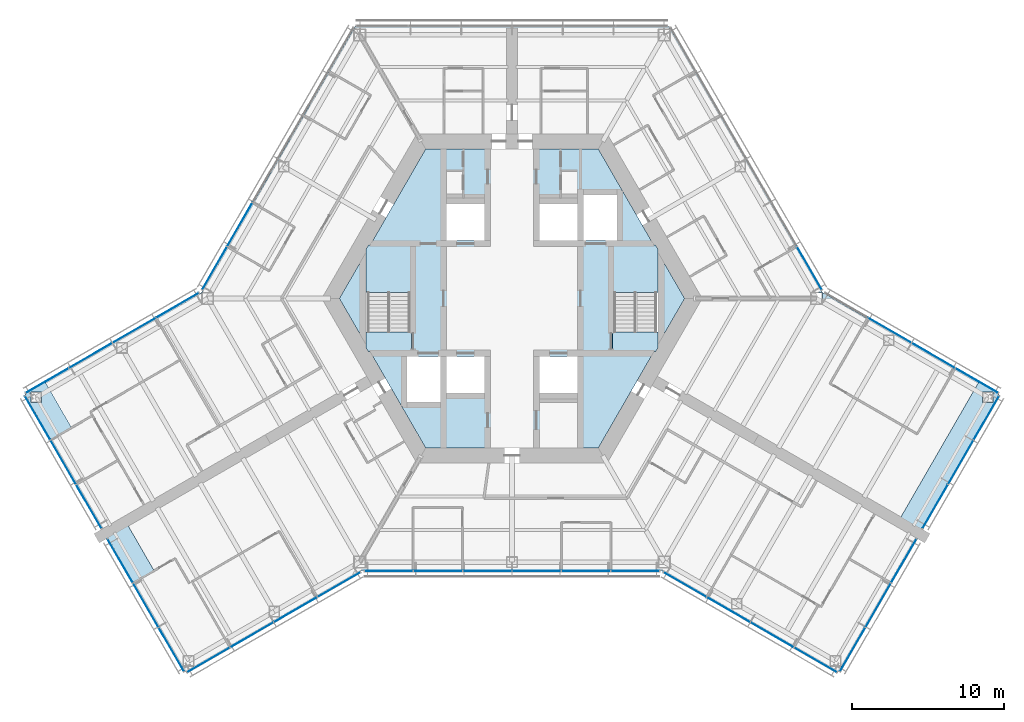
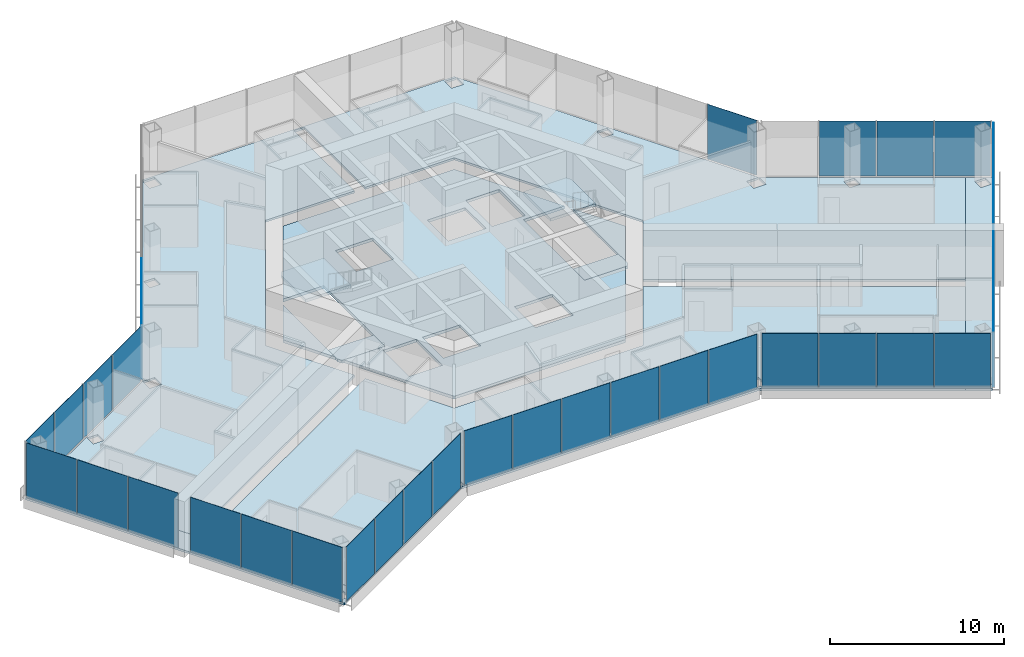
# One storey, part 10 of 19: 36 plates, 11 slabs, 13 elements without a shape of their own.
"""IFC4 building model written with IfcOpenShell, lengths in metres."""

from ifc_helpers import new_model, si_unit, direction, frame, origin, origin_2d, place, context, subcontext, project, spatial, polyline, rectangle, outline, extrude, material, layer, layer_set, type_object, element, aggregate, save


model = new_model("IFC4")

# Units and contexts
model_context = context("Model", 3, precision=1e-05, world=origin(), true_north=direction((0.0, 1.0)))
body_context = subcontext(model_context, "Body", "Model", "MODEL_VIEW")
ifc_project = project(units=[si_unit("LENGTHUNIT", "METRE"), si_unit("AREAUNIT", "SQUARE_METRE"), si_unit("VOLUMEUNIT", "CUBIC_METRE"), si_unit("PLANEANGLEUNIT", "RADIAN"), si_unit("MASSUNIT", "GRAM", prefix="KILO")], contexts=[model_context])

# Site, building, storey
site_placement = place(None, origin())
site = spatial("IfcSite", under=ifc_project, at=site_placement, CompositionType="ELEMENT")
building_placement = place(site_placement, origin())
building = spatial("IfcBuilding", under=site, at=building_placement, Name="Kasaneha Research Tower", CompositionType="ELEMENT")
storey_placement = place(building_placement, frame((0.0, 0.0, 164.300048828125)))
storey = spatial("IfcBuildingStorey", under=building, at=storey_placement, Name="L41", CompositionType="ELEMENT", Elevation=164.300048828125)

# Curtain wall, plates
ifc_material_1 = material(Name="Glass and aluminium", Category="aluminium")
curtain_wall_type = type_object("IfcCurtainWallType", Name="Mid-rise office curtain wall", PredefinedType="USERDEFINED", material=ifc_material_1)
curtain_wall_1_placement = place(storey_placement, origin())
curtain_wall_1 = element("IfcCurtainWall", 1, at=curtain_wall_1_placement, inside=storey, type_object=curtain_wall_type, Name="CW-O2 L41 run 01a", ObjectType="UNITISED CURTAIN WALL", PredefinedType="USERDEFINED")
ifc_material_2 = material(Name="Laminated double glazing", Category="glass")
ifc_layer_1 = layer(ifc_material_2, 0.02587890625)
ifc_layer_set_1 = layer_set([ifc_layer_1], Name="CW-O2 glazed panel")
plate_type = type_object("IfcPlateType", Name="CW-O2 glazed panel", PredefinedType="CURTAIN_PANEL", material=ifc_layer_set_1)
plate_1_placement = place(storey_placement, frame((-8.10107421875, -17.92041015625, 0.06005859375), z_axis=(0.0, 0.0, 1.0), x_axis=(1.0, 0.0, 0.0)))
plate_1 = element("IfcPlate", 2, at=plate_1_placement, type_object=plate_type, Name="CW-O2 panel 1", PredefinedType="CURTAIN_PANEL", context=body_context, shape_type="SweptSolid", body=[
    extrude(rectangle(XDim=3.156494140625, YDim=0.02587890625, at=origin_2d()), origin(), (0.0, 0.0, 1.0), 3.840087890625),
])
plate_2_placement = place(storey_placement, frame((-4.86962890625, -17.92041015625, 0.06005859375), z_axis=(0.0, 0.0, 1.0), x_axis=(1.0, 0.0, 0.0)))
plate_2 = element("IfcPlate", 3, at=plate_2_placement, type_object=plate_type, Name="CW-O2 panel 2", PredefinedType="CURTAIN_PANEL", context=body_context, shape_type="SweptSolid", body=[
    extrude(rectangle(XDim=3.1865234375, YDim=0.02587890625, at=origin_2d()), origin(), (0.0, 0.0, 1.0), 3.840087890625),
])
plate_3_placement = place(storey_placement, frame((-1.623291015625, -17.92041015625, 0.06005859375), z_axis=(0.0, 0.0, 1.0), x_axis=(1.0, 0.0, 0.0)))
plate_3 = element("IfcPlate", 4, at=plate_3_placement, type_object=plate_type, Name="CW-O2 panel 3", PredefinedType="CURTAIN_PANEL", context=body_context, shape_type="SweptSolid", body=[
    extrude(rectangle(XDim=3.1865234375, YDim=0.02587890625, at=origin_2d()), origin(), (0.0, 0.0, 1.0), 3.840087890625),
])
plate_4_placement = place(storey_placement, frame((1.623291015625, -17.92041015625, 0.06005859375), z_axis=(0.0, 0.0, 1.0), x_axis=(1.0, 0.0, 0.0)))
plate_4 = element("IfcPlate", 5, at=plate_4_placement, type_object=plate_type, Name="CW-O2 panel 4", PredefinedType="CURTAIN_PANEL", context=body_context, shape_type="SweptSolid", body=[
    extrude(rectangle(XDim=3.1865234375, YDim=0.02587890625, at=origin_2d()), origin(), (0.0, 0.0, 1.0), 3.840087890625),
])
plate_5_placement = place(storey_placement, frame((4.86962890625, -17.92041015625, 0.06005859375), z_axis=(0.0, 0.0, 1.0), x_axis=(1.0, 0.0, 0.0)))
plate_5 = element("IfcPlate", 6, at=plate_5_placement, type_object=plate_type, Name="CW-O2 panel 5", PredefinedType="CURTAIN_PANEL", context=body_context, shape_type="SweptSolid", body=[
    extrude(rectangle(XDim=3.1865234375, YDim=0.02587890625, at=origin_2d()), origin(), (0.0, 0.0, 1.0), 3.840087890625),
])
plate_6_placement = place(storey_placement, frame((8.10107421875, -17.92041015625, 0.06005859375), z_axis=(0.0, 0.0, 1.0), x_axis=(1.0, 0.0, 0.0)))
plate_6 = element("IfcPlate", 7, at=plate_6_placement, type_object=plate_type, Name="CW-O2 panel 6", PredefinedType="CURTAIN_PANEL", context=body_context, shape_type="SweptSolid", body=[
    extrude(rectangle(XDim=3.156494140625, YDim=0.02587890625, at=origin_2d()), origin(), (0.0, 0.0, 1.0), 3.840087890625),
])
aggregate(curtain_wall_1, [plate_1, plate_2, plate_3, plate_4, plate_5, plate_6])

curtain_wall_2_placement = place(storey_placement, origin())
curtain_wall_2 = element("IfcCurtainWall", 8, at=curtain_wall_2_placement, inside=storey, type_object=curtain_wall_type, Name="CW-O2 L41 run 02a", ObjectType="UNITISED CURTAIN WALL", PredefinedType="USERDEFINED")
plate_7_placement = place(storey_placement, frame((11.3720703125, -18.805419921875, 0.06005859375), z_axis=(0.0, 0.0, 1.0), x_axis=(0.866025411464, -0.499999986699, 0.0)))
plate_7 = element("IfcPlate", 9, at=plate_7_placement, type_object=plate_type, Name="CW-O2 panel 1", PredefinedType="CURTAIN_PANEL", context=body_context, shape_type="SweptSolid", body=[
    extrude(rectangle(XDim=3.2197265625, YDim=0.02587890625, at=origin_2d()), origin(), (0.0, 0.0, 1.0), 3.840087890625),
])
plate_8_placement = place(storey_placement, frame((14.225341796875, -20.452880859375, 0.06005859375), z_axis=(0.0, 0.0, 1.0), x_axis=(0.866025411464, -0.499999986699, 0.0)))
plate_8 = element("IfcPlate", 10, at=plate_8_placement, type_object=plate_type, Name="CW-O2 panel 2", PredefinedType="CURTAIN_PANEL", context=body_context, shape_type="SweptSolid", body=[
    extrude(rectangle(XDim=3.249755859375, YDim=0.02587890625, at=origin_2d()), origin(), (0.0, 0.0, 1.0), 3.840087890625),
])
plate_9_placement = place(storey_placement, frame((17.091796875, -22.107666015625, 0.06005859375), z_axis=(0.0, 0.0, 1.0), x_axis=(0.866025411464, -0.499999986699, 0.0)))
plate_9 = element("IfcPlate", 11, at=plate_9_placement, type_object=plate_type, Name="CW-O2 panel 3", PredefinedType="CURTAIN_PANEL", context=body_context, shape_type="SweptSolid", body=[
    extrude(rectangle(XDim=3.249755859375, YDim=0.02587890625, at=origin_2d()), origin(), (0.0, 0.0, 1.0), 3.840087890625),
])
plate_10_placement = place(storey_placement, frame((19.945068359375, -23.755126953125, 0.06005859375), z_axis=(0.0, 0.0, 1.0), x_axis=(0.866025411464, -0.499999986699, 0.0)))
plate_10 = element("IfcPlate", 12, at=plate_10_placement, type_object=plate_type, Name="CW-O2 panel 4", PredefinedType="CURTAIN_PANEL", context=body_context, shape_type="SweptSolid", body=[
    extrude(rectangle(XDim=3.2197265625, YDim=0.02587890625, at=origin_2d()), origin(), (0.0, 0.0, 1.0), 3.840087890625),
])
aggregate(curtain_wall_2, [plate_7, plate_8, plate_9, plate_10])

curtain_wall_3_placement = place(storey_placement, origin())
curtain_wall_3 = element("IfcCurtainWall", 13, at=curtain_wall_3_placement, inside=storey, type_object=curtain_wall_type, Name="CW-O2 L41 run 03a", ObjectType="UNITISED CURTAIN WALL", PredefinedType="USERDEFINED")
plate_11_placement = place(storey_placement, frame((22.38134765625, -23.075439453125, 0.06005859375), z_axis=(0.0, 0.0, 1.0), x_axis=(0.500000011442, 0.866025397178, 0.0)))
plate_11 = element("IfcPlate", 14, at=plate_11_placement, type_object=plate_type, Name="CW-O2 panel 1", PredefinedType="CURTAIN_PANEL", context=body_context, shape_type="SweptSolid", body=[
    extrude(rectangle(XDim=3.293212890625, YDim=0.02587890625, at=origin_2d()), origin(), (0.0, 0.0, 1.0), 3.840087890625),
])
plate_12_placement = place(storey_placement, frame((24.0654296875, -20.158447265625, 0.06005859375), z_axis=(0.0, 0.0, 1.0), x_axis=(0.500000011442, 0.866025397178, 0.0)))
plate_12 = element("IfcPlate", 15, at=plate_12_placement, type_object=plate_type, Name="CW-O2 panel 2", PredefinedType="CURTAIN_PANEL", context=body_context, shape_type="SweptSolid", body=[
    extrude(rectangle(XDim=3.3232421875, YDim=0.02587890625, at=origin_2d()), origin(), (0.0, 0.0, 1.0), 3.840087890625),
])
plate_13_placement = place(storey_placement, frame((25.74951171875, -17.241455078125, 0.06005859375), z_axis=(0.0, 0.0, 1.0), x_axis=(0.500000011442, 0.866025397178, 0.0)))
plate_13 = element("IfcPlate", 16, at=plate_13_placement, type_object=plate_type, Name="CW-O2 panel 3", PredefinedType="CURTAIN_PANEL", context=body_context, shape_type="SweptSolid", body=[
    extrude(rectangle(XDim=3.293212890625, YDim=0.02587890625, at=origin_2d()), origin(), (0.0, 0.0, 1.0), 3.840087890625),
])
aggregate(curtain_wall_3, [plate_11, plate_12, plate_13])

curtain_wall_4_placement = place(storey_placement, origin())
curtain_wall_4 = element("IfcCurtainWall", 17, at=curtain_wall_4_placement, inside=storey, type_object=curtain_wall_type, Name="CW-O2 L41 run 04a", ObjectType="UNITISED CURTAIN WALL", PredefinedType="USERDEFINED")
plate_14_placement = place(storey_placement, frame((27.806396484375, -13.67919921875, 0.06005859375), z_axis=(0.0, 0.0, 1.0), x_axis=(0.500000011442, 0.866025397178, 0.0)))
plate_14 = element("IfcPlate", 18, at=plate_14_placement, type_object=plate_type, Name="CW-O2 panel 1", PredefinedType="CURTAIN_PANEL", context=body_context, shape_type="SweptSolid", body=[
    extrude(rectangle(XDim=3.293212890625, YDim=0.02587890625, at=origin_2d()), origin(), (0.0, 0.0, 1.0), 3.840087890625),
])
plate_15_placement = place(storey_placement, frame((29.490478515625, -10.761962890625, 0.06005859375), z_axis=(0.0, 0.0, 1.0), x_axis=(0.500000011442, 0.866025397178, 0.0)))
plate_15 = element("IfcPlate", 19, at=plate_15_placement, type_object=plate_type, Name="CW-O2 panel 2", PredefinedType="CURTAIN_PANEL", context=body_context, shape_type="SweptSolid", body=[
    extrude(rectangle(XDim=3.3232421875, YDim=0.02587890625, at=origin_2d()), origin(), (0.0, 0.0, 1.0), 3.840087890625),
])
plate_16_placement = place(storey_placement, frame((31.174560546875, -7.844970703125, 0.06005859375), z_axis=(0.0, 0.0, 1.0), x_axis=(0.500000011442, 0.866025397178, 0.0)))
plate_16 = element("IfcPlate", 20, at=plate_16_placement, type_object=plate_type, Name="CW-O2 panel 3", PredefinedType="CURTAIN_PANEL", context=body_context, shape_type="SweptSolid", body=[
    extrude(rectangle(XDim=3.293212890625, YDim=0.02587890625, at=origin_2d()), origin(), (0.0, 0.0, 1.0), 3.840087890625),
])
aggregate(curtain_wall_4, [plate_14, plate_15, plate_16])

curtain_wall_5_placement = place(storey_placement, origin())
curtain_wall_5 = element("IfcCurtainWall", 21, at=curtain_wall_5_placement, inside=storey, type_object=curtain_wall_type, Name="CW-O2 L41 run 05a", ObjectType="UNITISED CURTAIN WALL", PredefinedType="USERDEFINED")
plate_17_placement = place(storey_placement, frame((30.545166015625, -5.3955078125, 0.06005859375), z_axis=(0.0, 0.0, 1.0), x_axis=(-0.866025411464, 0.499999986699, 0.0)))
plate_17 = element("IfcPlate", 22, at=plate_17_placement, type_object=plate_type, Name="CW-O2 panel 1", PredefinedType="CURTAIN_PANEL", context=body_context, shape_type="SweptSolid", body=[
    extrude(rectangle(XDim=3.2197265625, YDim=0.02587890625, at=origin_2d()), origin(), (0.0, 0.0, 1.0), 3.840087890625),
])
plate_18_placement = place(storey_placement, frame((27.69189453125, -3.748046875, 0.06005859375), z_axis=(0.0, 0.0, 1.0), x_axis=(-0.866025411464, 0.499999986699, 0.0)))
plate_18 = element("IfcPlate", 23, at=plate_18_placement, type_object=plate_type, Name="CW-O2 panel 2", PredefinedType="CURTAIN_PANEL", context=body_context, shape_type="SweptSolid", body=[
    extrude(rectangle(XDim=3.249755859375, YDim=0.02587890625, at=origin_2d()), origin(), (0.0, 0.0, 1.0), 3.840087890625),
])
plate_19_placement = place(storey_placement, frame((24.825439453125, -2.093017578125, 0.06005859375), z_axis=(0.0, 0.0, 1.0), x_axis=(-0.866025411464, 0.499999986699, 0.0)))
plate_19 = element("IfcPlate", 24, at=plate_19_placement, type_object=plate_type, Name="CW-O2 panel 3", PredefinedType="CURTAIN_PANEL", context=body_context, shape_type="SweptSolid", body=[
    extrude(rectangle(XDim=3.249755859375, YDim=0.02587890625, at=origin_2d()), origin(), (0.0, 0.0, 1.0), 3.840087890625),
])
aggregate(curtain_wall_5, [plate_17, plate_18, plate_19])

# Curtain wall, plate
curtain_wall_6_placement = place(storey_placement, origin())
curtain_wall_6 = element("IfcCurtainWall", 25, at=curtain_wall_6_placement, inside=storey, type_object=curtain_wall_type, Name="CW-O2 L41 run 06a", ObjectType="UNITISED CURTAIN WALL", PredefinedType="USERDEFINED")
plate_20_placement = place(storey_placement, frame((19.549072265625, 1.981201171875, 0.06005859375), z_axis=(0.0, 0.0, 1.0), x_axis=(-0.499999979232, 0.866025415775, 0.0)))
plate_20 = element("IfcPlate", 26, at=plate_20_placement, type_object=plate_type, Name="CW-O2 panel 1", PredefinedType="CURTAIN_PANEL", context=body_context, shape_type="SweptSolid", body=[
    extrude(rectangle(XDim=3.240966796875, YDim=0.02587890625, at=origin_2d()), origin(), (0.0, 0.0, 1.0), 3.840087890625),
])
aggregate(curtain_wall_6, [plate_20])

# Curtain wall, plates
curtain_wall_7_placement = place(storey_placement, origin())
curtain_wall_7 = element("IfcCurtainWall", 27, at=curtain_wall_7_placement, inside=storey, type_object=curtain_wall_type, Name="CW-O2 L41 run 08a", ObjectType="UNITISED CURTAIN WALL", PredefinedType="USERDEFINED")
plate_21_placement = place(storey_placement, frame((-17.89111328125, 4.852783203125, 0.06005859375), z_axis=(0.0, 0.0, 1.0), x_axis=(-0.499999979232, -0.866025415775, 0.0)))
plate_21 = element("IfcPlate", 28, at=plate_21_placement, type_object=plate_type, Name="CW-O2 panel 5", PredefinedType="CURTAIN_PANEL", context=body_context, shape_type="SweptSolid", body=[
    extrude(rectangle(XDim=3.27099609375, YDim=0.02587890625, at=origin_2d()), origin(), (0.0, 0.0, 1.0), 3.840087890625),
])
plate_22_placement = place(storey_placement, frame((-19.549072265625, 1.981201171875, 0.06005859375), z_axis=(0.0, 0.0, 1.0), x_axis=(-0.499999979232, -0.866025415775, 0.0)))
plate_22 = element("IfcPlate", 29, at=plate_22_placement, type_object=plate_type, Name="CW-O2 panel 6", PredefinedType="CURTAIN_PANEL", context=body_context, shape_type="SweptSolid", body=[
    extrude(rectangle(XDim=3.240966796875, YDim=0.02587890625, at=origin_2d()), origin(), (0.0, 0.0, 1.0), 3.840087890625),
])
aggregate(curtain_wall_7, [plate_21, plate_22])

curtain_wall_8_placement = place(storey_placement, origin())
curtain_wall_8 = element("IfcCurtainWall", 30, at=curtain_wall_8_placement, inside=storey, type_object=curtain_wall_type, Name="CW-O2 L41 run 09a", ObjectType="UNITISED CURTAIN WALL", PredefinedType="USERDEFINED")
plate_23_placement = place(storey_placement, frame((-21.971923828125, -0.44580078125, 0.06005859375), z_axis=(0.0, 0.0, 1.0), x_axis=(-0.866025411464, -0.499999986699, 0.0)))
plate_23 = element("IfcPlate", 31, at=plate_23_placement, type_object=plate_type, Name="CW-O2 panel 1", PredefinedType="CURTAIN_PANEL", context=body_context, shape_type="SweptSolid", body=[
    extrude(rectangle(XDim=3.2197265625, YDim=0.02587890625, at=origin_2d()), origin(), (0.0, 0.0, 1.0), 3.840087890625),
])
plate_24_placement = place(storey_placement, frame((-24.825439453125, -2.093017578125, 0.06005859375), z_axis=(0.0, 0.0, 1.0), x_axis=(-0.866025411464, -0.499999986699, 0.0)))
plate_24 = element("IfcPlate", 32, at=plate_24_placement, type_object=plate_type, Name="CW-O2 panel 2", PredefinedType="CURTAIN_PANEL", context=body_context, shape_type="SweptSolid", body=[
    extrude(rectangle(XDim=3.249755859375, YDim=0.02587890625, at=origin_2d()), origin(), (0.0, 0.0, 1.0), 3.840087890625),
])
plate_25_placement = place(storey_placement, frame((-27.69189453125, -3.748046875, 0.06005859375), z_axis=(0.0, 0.0, 1.0), x_axis=(-0.866025411464, -0.499999986699, 0.0)))
plate_25 = element("IfcPlate", 33, at=plate_25_placement, type_object=plate_type, Name="CW-O2 panel 3", PredefinedType="CURTAIN_PANEL", context=body_context, shape_type="SweptSolid", body=[
    extrude(rectangle(XDim=3.249755859375, YDim=0.02587890625, at=origin_2d()), origin(), (0.0, 0.0, 1.0), 3.840087890625),
])
plate_26_placement = place(storey_placement, frame((-30.545166015625, -5.3955078125, 0.06005859375), z_axis=(0.0, 0.0, 1.0), x_axis=(-0.866025411464, -0.499999986699, 0.0)))
plate_26 = element("IfcPlate", 34, at=plate_26_placement, type_object=plate_type, Name="CW-O2 panel 4", PredefinedType="CURTAIN_PANEL", context=body_context, shape_type="SweptSolid", body=[
    extrude(rectangle(XDim=3.2197265625, YDim=0.02587890625, at=origin_2d()), origin(), (0.0, 0.0, 1.0), 3.840087890625),
])
aggregate(curtain_wall_8, [plate_23, plate_24, plate_25, plate_26])

curtain_wall_9_placement = place(storey_placement, origin())
curtain_wall_9 = element("IfcCurtainWall", 35, at=curtain_wall_9_placement, inside=storey, type_object=curtain_wall_type, Name="CW-O2 L41 run 10a", ObjectType="UNITISED CURTAIN WALL", PredefinedType="USERDEFINED")
plate_27_placement = place(storey_placement, frame((-31.174560546875, -7.844970703125, 0.06005859375), z_axis=(0.0, 0.0, 1.0), x_axis=(0.500000011442, -0.866025397178, 0.0)))
plate_27 = element("IfcPlate", 36, at=plate_27_placement, type_object=plate_type, Name="CW-O2 panel 1", PredefinedType="CURTAIN_PANEL", context=body_context, shape_type="SweptSolid", body=[
    extrude(rectangle(XDim=3.293212890625, YDim=0.02587890625, at=origin_2d()), origin(), (0.0, 0.0, 1.0), 3.840087890625),
])
plate_28_placement = place(storey_placement, frame((-29.490478515625, -10.761962890625, 0.06005859375), z_axis=(0.0, 0.0, 1.0), x_axis=(0.500000011442, -0.866025397178, 0.0)))
plate_28 = element("IfcPlate", 37, at=plate_28_placement, type_object=plate_type, Name="CW-O2 panel 2", PredefinedType="CURTAIN_PANEL", context=body_context, shape_type="SweptSolid", body=[
    extrude(rectangle(XDim=3.3232421875, YDim=0.02587890625, at=origin_2d()), origin(), (0.0, 0.0, 1.0), 3.840087890625),
])
plate_29_placement = place(storey_placement, frame((-27.806396484375, -13.67919921875, 0.06005859375), z_axis=(0.0, 0.0, 1.0), x_axis=(0.500000011442, -0.866025397178, 0.0)))
plate_29 = element("IfcPlate", 38, at=plate_29_placement, type_object=plate_type, Name="CW-O2 panel 3", PredefinedType="CURTAIN_PANEL", context=body_context, shape_type="SweptSolid", body=[
    extrude(rectangle(XDim=3.293212890625, YDim=0.02587890625, at=origin_2d()), origin(), (0.0, 0.0, 1.0), 3.840087890625),
])
aggregate(curtain_wall_9, [plate_27, plate_28, plate_29])

curtain_wall_10_placement = place(storey_placement, origin())
curtain_wall_10 = element("IfcCurtainWall", 39, at=curtain_wall_10_placement, inside=storey, type_object=curtain_wall_type, Name="CW-O2 L41 run 11a", ObjectType="UNITISED CURTAIN WALL", PredefinedType="USERDEFINED")
plate_30_placement = place(storey_placement, frame((-25.74951171875, -17.241455078125, 0.06005859375), z_axis=(0.0, 0.0, 1.0), x_axis=(0.500000011442, -0.866025397178, 0.0)))
plate_30 = element("IfcPlate", 40, at=plate_30_placement, type_object=plate_type, Name="CW-O2 panel 1", PredefinedType="CURTAIN_PANEL", context=body_context, shape_type="SweptSolid", body=[
    extrude(rectangle(XDim=3.293212890625, YDim=0.02587890625, at=origin_2d()), origin(), (0.0, 0.0, 1.0), 3.840087890625),
])
plate_31_placement = place(storey_placement, frame((-24.0654296875, -20.158447265625, 0.06005859375), z_axis=(0.0, 0.0, 1.0), x_axis=(0.500000011442, -0.866025397178, 0.0)))
plate_31 = element("IfcPlate", 41, at=plate_31_placement, type_object=plate_type, Name="CW-O2 panel 2", PredefinedType="CURTAIN_PANEL", context=body_context, shape_type="SweptSolid", body=[
    extrude(rectangle(XDim=3.3232421875, YDim=0.02587890625, at=origin_2d()), origin(), (0.0, 0.0, 1.0), 3.840087890625),
])
plate_32_placement = place(storey_placement, frame((-22.38134765625, -23.075439453125, 0.06005859375), z_axis=(0.0, 0.0, 1.0), x_axis=(0.500000011442, -0.866025397178, 0.0)))
plate_32 = element("IfcPlate", 42, at=plate_32_placement, type_object=plate_type, Name="CW-O2 panel 3", PredefinedType="CURTAIN_PANEL", context=body_context, shape_type="SweptSolid", body=[
    extrude(rectangle(XDim=3.293212890625, YDim=0.02587890625, at=origin_2d()), origin(), (0.0, 0.0, 1.0), 3.840087890625),
])
aggregate(curtain_wall_10, [plate_30, plate_31, plate_32])

curtain_wall_11_placement = place(storey_placement, origin())
curtain_wall_11 = element("IfcCurtainWall", 43, at=curtain_wall_11_placement, inside=storey, type_object=curtain_wall_type, Name="CW-O2 L41 run 12a", ObjectType="UNITISED CURTAIN WALL", PredefinedType="USERDEFINED")
plate_33_placement = place(storey_placement, frame((-19.945068359375, -23.755126953125, 0.06005859375), z_axis=(0.0, 0.0, 1.0), x_axis=(0.866025411464, 0.499999986699, 0.0)))
plate_33 = element("IfcPlate", 44, at=plate_33_placement, type_object=plate_type, Name="CW-O2 panel 1", PredefinedType="CURTAIN_PANEL", context=body_context, shape_type="SweptSolid", body=[
    extrude(rectangle(XDim=3.2197265625, YDim=0.02587890625, at=origin_2d()), origin(), (0.0, 0.0, 1.0), 3.840087890625),
])
plate_34_placement = place(storey_placement, frame((-17.091796875, -22.107666015625, 0.06005859375), z_axis=(0.0, 0.0, 1.0), x_axis=(0.866025411464, 0.499999986699, 0.0)))
plate_34 = element("IfcPlate", 45, at=plate_34_placement, type_object=plate_type, Name="CW-O2 panel 2", PredefinedType="CURTAIN_PANEL", context=body_context, shape_type="SweptSolid", body=[
    extrude(rectangle(XDim=3.249755859375, YDim=0.02587890625, at=origin_2d()), origin(), (0.0, 0.0, 1.0), 3.840087890625),
])
plate_35_placement = place(storey_placement, frame((-14.225341796875, -20.452880859375, 0.06005859375), z_axis=(0.0, 0.0, 1.0), x_axis=(0.866025411464, 0.499999986699, 0.0)))
plate_35 = element("IfcPlate", 46, at=plate_35_placement, type_object=plate_type, Name="CW-O2 panel 3", PredefinedType="CURTAIN_PANEL", context=body_context, shape_type="SweptSolid", body=[
    extrude(rectangle(XDim=3.249755859375, YDim=0.02587890625, at=origin_2d()), origin(), (0.0, 0.0, 1.0), 3.840087890625),
])
plate_36_placement = place(storey_placement, frame((-11.3720703125, -18.805419921875, 0.06005859375), z_axis=(0.0, 0.0, 1.0), x_axis=(0.866025411464, 0.499999986699, 0.0)))
plate_36 = element("IfcPlate", 47, at=plate_36_placement, type_object=plate_type, Name="CW-O2 panel 4", PredefinedType="CURTAIN_PANEL", context=body_context, shape_type="SweptSolid", body=[
    extrude(rectangle(XDim=3.2197265625, YDim=0.02587890625, at=origin_2d()), origin(), (0.0, 0.0, 1.0), 3.840087890625),
])
aggregate(curtain_wall_11, [plate_33, plate_34, plate_35, plate_36])

# Slabs
ifc_material_3 = material(Name="Concrete Fc24", Category="concrete")
ifc_layer_2 = layer(ifc_material_3, 0.199951171875)
ifc_layer_set_2 = layer_set([ifc_layer_2], Name="Core floor slab 200")
slab_type_1 = type_object("IfcSlabType", Name="Core floor slab 200", PredefinedType="FLOOR", material=ifc_layer_set_2)
slab_1_placement = place(storey_placement, frame((0.0, 0.0, -0.199951171875)))
element("IfcSlab", 48, at=slab_1_placement, inside=storey, type_object=slab_type_1, Name="Core slab L41", PredefinedType="FLOOR", context=body_context, shape_type="SweptSolid", body=[
    extrude(outline(polyline([(-11.344970703125, 0.0), (-9.60009765625, 3.022216796875), (-9.60009765625, -3.022216796875), (-11.344970703125, 0.0)])), origin(), (0.0, 0.0, 1.0), 0.199951171875),
])
slab_2_placement = place(storey_placement, frame((0.0, 0.0, -0.199951171875)))
element("IfcSlab", 49, at=slab_2_placement, inside=storey, type_object=slab_type_1, Name="Core slab L41", PredefinedType="FLOOR", context=body_context, shape_type="SweptSolid", body=[
    extrude(outline(polyline([(-5.67236328125, 9.824951171875), (5.67236328125, 9.824951171875), (9.32421875, 3.5), (6.60009765625, 3.5), (6.60009765625, -3.5), (9.32421875, -3.5), (5.67236328125, -9.824951171875), (-5.67236328125, -9.824951171875), (-9.32421875, -3.5), (-6.60009765625, -3.5), (-6.60009765625, 3.5), (-9.32421875, 3.5), (-5.67236328125, 9.824951171875)]), holes=[polyline([(-6.89990234375, -3.800048828125), (-6.89990234375, -6.800048828125), (-4.699951171875, -6.800048828125), (-4.699951171875, -3.800048828125), (-6.89990234375, -3.800048828125)]), polyline([(-4.300048828125, -3.800048828125), (-4.300048828125, -6.199951171875), (-1.800048828125, -6.199951171875), (-1.800048828125, -3.800048828125), (-4.300048828125, -3.800048828125)]), polyline([(1.800048828125, -3.800048828125), (1.800048828125, -6.199951171875), (4.300048828125, -6.199951171875), (4.300048828125, -3.800048828125), (1.800048828125, -3.800048828125)]), polyline([(-4.300048828125, 6.199951171875), (-4.300048828125, 3.800048828125), (-1.800048828125, 3.800048828125), (-1.800048828125, 6.199951171875), (-4.300048828125, 6.199951171875)]), polyline([(1.800048828125, 6.199951171875), (1.800048828125, 3.800048828125), (4.300048828125, 3.800048828125), (4.300048828125, 6.199951171875), (1.800048828125, 6.199951171875)]), polyline([(4.699951171875, 6.800048828125), (4.699951171875, 3.800048828125), (6.89990234375, 3.800048828125), (6.89990234375, 6.800048828125), (4.699951171875, 6.800048828125)])]), origin(), (0.0, 0.0, 1.0), 0.199951171875),
])
slab_3_placement = place(storey_placement, frame((0.0, 0.0, -0.199951171875)))
element("IfcSlab", 50, at=slab_3_placement, inside=storey, type_object=slab_type_1, Name="Core slab L41", PredefinedType="FLOOR", context=body_context, shape_type="SweptSolid", body=[
    extrude(outline(polyline([(11.344970703125, 0.0), (9.60009765625, -3.022216796875), (9.60009765625, 3.022216796875), (11.344970703125, 0.0)])), origin(), (0.0, 0.0, 1.0), 0.199951171875),
])
ifc_material_4 = material(Name="Concrete Fc24", Category="concrete")
ifc_layer_3 = layer(ifc_material_4, 0.14990234375)
ifc_layer_set_3 = layer_set([ifc_layer_3], Name="Floor slab 150")
slab_type_2 = type_object("IfcSlabType", Name="Floor slab 150", PredefinedType="FLOOR", material=ifc_layer_set_3)
slab_4_placement = place(storey_placement, frame((0.0, 0.0, -0.150146484375)))
element("IfcSlab", 51, at=slab_4_placement, inside=storey, type_object=slab_type_2, Name="Floor slab L41 1", PredefinedType="FLOOR", context=body_context, shape_type="SweptSolid", body=[
    extrude(outline(polyline([(-32.009521484375, -6.298583984375), (-30.65869140625, -5.518798828125), (-25.55859375, -14.35205078125), (-25.5673828125, -14.357177734375), (-25.21728515625, -14.96337890625), (-25.208740234375, -14.958251953125), (-20.108642578125, -23.791748046875), (-21.459716796875, -24.57177734375), (-32.009521484375, -6.298583984375)]), holes=[polyline([(-20.908447265625, -24.17041015625), (-20.908447265625, -23.470458984375), (-21.6083984375, -23.470458984375), (-21.6083984375, -24.17041015625), (-20.908447265625, -24.17041015625)]), polyline([(-30.908447265625, -6.85009765625), (-30.908447265625, -6.14990234375), (-31.6083984375, -6.14990234375), (-31.6083984375, -6.85009765625), (-30.908447265625, -6.85009765625)])]), origin(), (0.0, 0.0, 1.0), 0.150146484375),
])
slab_5_placement = place(storey_placement, frame((0.0, 0.0, -0.150146484375)))
element("IfcSlab", 52, at=slab_5_placement, inside=storey, type_object=slab_type_2, Name="Floor slab L41 2", PredefinedType="FLOOR", context=body_context, shape_type="SweptSolid", body=[
    extrude(outline(polyline([(9.8525390625, -17.87060546875), (-9.8525390625, -17.87060546875), (-20.108642578125, -23.791748046875), (-25.208740234375, -14.958251953125), (-9.19970703125, -5.715576171875), (-6.249755859375, -10.824951171875), (6.249755859375, -10.824951171875), (9.19970703125, -5.715576171875), (25.208740234375, -14.958251953125), (20.108642578125, -23.791748046875), (9.8525390625, -17.87060546875)]), holes=[polyline([(-15.279052734375, -20.92041015625), (-15.279052734375, -20.220458984375), (-15.979248046875, -20.220458984375), (-15.979248046875, -20.92041015625), (-15.279052734375, -20.92041015625)]), polyline([(0.35009765625, -17.67041015625), (0.35009765625, -16.970458984375), (-0.35009765625, -16.970458984375), (-0.35009765625, -17.67041015625), (0.35009765625, -17.67041015625)]), polyline([(-10.39990234375, -17.720458984375), (-9.60009765625, -17.720458984375), (-9.60009765625, -16.92041015625), (-10.39990234375, -16.92041015625), (-10.39990234375, -17.720458984375)]), polyline([(15.113037109375, -20.42041015625), (15.113037109375, -19.720458984375), (14.4130859375, -19.720458984375), (14.4130859375, -20.42041015625), (15.113037109375, -20.42041015625)]), polyline([(9.60009765625, -17.720458984375), (10.39990234375, -17.720458984375), (10.39990234375, -16.92041015625), (9.60009765625, -16.92041015625), (9.60009765625, -17.720458984375)])]), origin(), (0.0, 0.0, 1.0), 0.150146484375),
])
slab_6_placement = place(storey_placement, frame((0.0, 0.0, -0.150146484375)))
element("IfcSlab", 53, at=slab_6_placement, inside=storey, type_object=slab_type_2, Name="Floor slab L41 3", PredefinedType="FLOOR", context=body_context, shape_type="SweptSolid", body=[
    extrude(outline(polyline([(-20.400146484375, -0.400146484375), (-19.599853515625, -0.400146484375), (-19.599853515625, 0.400146484375), (-20.385986328125, 0.400146484375), (-20.3974609375, 0.41162109375), (-10.40771484375, 17.714111328125), (-10.400146484375, 17.70654296875), (-10.400146484375, 16.92041015625), (-9.599853515625, 16.92041015625), (-9.599853515625, 17.720703125), (-10.385986328125, 17.720703125), (-10.3974609375, 17.732177734375), (-10.317626953125, 17.87060546875), (10.317626953125, 17.87060546875), (10.3974609375, 17.732177734375), (10.385986328125, 17.720703125), (9.599853515625, 17.720703125), (9.599853515625, 16.92041015625), (10.400146484375, 16.92041015625), (10.400146484375, 17.70654296875), (10.40771484375, 17.714111328125), (20.3974609375, 0.41162109375), (20.385986328125, 0.400146484375), (19.599853515625, 0.400146484375), (19.599853515625, -0.400146484375), (20.400146484375, -0.400146484375), (20.400146484375, 0.385986328125), (20.41162109375, 0.3974609375), (30.65869140625, -5.518798828125), (25.55859375, -14.35205078125), (9.5498046875, -5.109375), (12.49951171875, 0.0), (6.249755859375, 10.824951171875), (0.35009765625, 10.824951171875), (0.35009765625, 17.7705078125), (-0.35009765625, 17.7705078125), (-0.35009765625, 10.824951171875), (-6.249755859375, 10.824951171875), (-12.49951171875, 0.0), (-9.5498046875, -5.109375), (-25.55859375, -14.35205078125), (-30.65869140625, -5.518798828125), (-20.41162109375, 0.3974609375), (-20.400146484375, 0.385986328125), (-20.400146484375, -0.400146484375)]), holes=[polyline([(-25.279052734375, -3.60009765625), (-25.279052734375, -2.89990234375), (-25.979248046875, -2.89990234375), (-25.979248046875, -3.60009765625), (-25.279052734375, -3.60009765625)]), polyline([(-15.35009765625, 8.310302734375), (-14.64990234375, 8.310302734375), (-14.64990234375, 9.01025390625), (-15.35009765625, 9.01025390625), (-15.35009765625, 8.310302734375)]), polyline([(24.4130859375, -3.10009765625), (25.113037109375, -3.10009765625), (25.113037109375, -2.39990234375), (24.4130859375, -2.39990234375), (24.4130859375, -3.10009765625)]), polyline([(14.64990234375, 8.310302734375), (15.35009765625, 8.310302734375), (15.35009765625, 9.01025390625), (14.64990234375, 9.01025390625), (14.64990234375, 8.310302734375)])]), origin(), (0.0, 0.0, 1.0), 0.150146484375),
])
slab_7_placement = place(storey_placement, frame((0.0, 0.0, -0.150146484375)))
element("IfcSlab", 54, at=slab_7_placement, inside=storey, type_object=slab_type_2, Name="Floor slab L41 4", PredefinedType="FLOOR", context=body_context, shape_type="SweptSolid", body=[
    extrude(outline(polyline([(32.009521484375, -6.298583984375), (21.459716796875, -24.57177734375), (20.108642578125, -23.791748046875), (25.208740234375, -14.958251953125), (25.21728515625, -14.96337890625), (25.5673828125, -14.357177734375), (25.55859375, -14.35205078125), (30.65869140625, -5.518798828125), (32.009521484375, -6.298583984375)]), holes=[polyline([(21.6083984375, -24.17041015625), (21.6083984375, -23.470458984375), (20.908447265625, -23.470458984375), (20.908447265625, -24.17041015625), (21.6083984375, -24.17041015625)]), polyline([(31.6083984375, -6.85009765625), (31.6083984375, -6.14990234375), (30.908447265625, -6.14990234375), (30.908447265625, -6.85009765625), (31.6083984375, -6.85009765625)])]), origin(), (0.0, 0.0, 1.0), 0.150146484375),
])

# Stair, slabs
ifc_material_5 = material(Name="Concrete Fc24", Category="concrete")
stair_type = type_object("IfcStairType", Name="Half-turn stair 22 risers", PredefinedType="HALF_TURN_STAIR", material=ifc_material_5)
stair_1_placement = place(storey_placement, origin())
stair_1 = element("IfcStair", 55, at=stair_1_placement, inside=storey, type_object=stair_type, Name="Stair 1 L41", PredefinedType="HALF_TURN_STAIR")
ifc_material_6 = material(Name="Concrete Fc24", Category="concrete")
ifc_layer_4 = layer(ifc_material_6, 0.199951171875)
ifc_layer_set_4 = layer_set([ifc_layer_4], Name="Stair 1 landing 200")
slab_type_3 = type_object("IfcSlabType", Name="Stair 1 landing 200", PredefinedType="LANDING", material=ifc_layer_set_4)
slab_8_placement = place(storey_placement, frame((0.0, 0.0, -0.199951171875)))
slab_8 = element("IfcSlab", 56, at=slab_8_placement, type_object=slab_type_3, Name="ST1-22R landing 1", PredefinedType="LANDING", context=body_context, shape_type="SweptSolid", body=[
    extrude(outline(polyline([(9.439697265625, -3.5), (6.60009765625, -3.5), (6.60009765625, -2.199951171875), (9.60009765625, -2.199951171875), (9.60009765625, -3.222412109375), (9.439697265625, -3.5)])), origin(), (0.0, 0.0, 1.0), 0.199951171875),
])
slab_9_placement = place(storey_placement, frame((0.0, 0.0, 1.75)))
slab_9 = element("IfcSlab", 57, at=slab_9_placement, type_object=slab_type_3, Name="ST1-22R landing 2", PredefinedType="LANDING", context=body_context, shape_type="SweptSolid", body=[
    extrude(outline(polyline([(6.60009765625, 3.5), (9.439697265625, 3.5), (9.60009765625, 3.222412109375), (9.60009765625, 0.39990234375), (6.60009765625, 0.39990234375), (6.60009765625, 3.5)])), origin(), (0.0, 0.0, 1.0), 0.199951171875),
])
aggregate(stair_1, [slab_8, slab_9])

stair_2_placement = place(storey_placement, origin())
stair_2 = element("IfcStair", 58, at=stair_2_placement, inside=storey, type_object=stair_type, Name="Stair 2 L41", PredefinedType="HALF_TURN_STAIR")
ifc_material_7 = material(Name="Concrete Fc24", Category="concrete")
ifc_layer_5 = layer(ifc_material_7, 0.199951171875)
ifc_layer_set_5 = layer_set([ifc_layer_5], Name="Stair 2 landing 200")
slab_type_4 = type_object("IfcSlabType", Name="Stair 2 landing 200", PredefinedType="LANDING", material=ifc_layer_set_5)
slab_10_placement = place(storey_placement, frame((0.0, 0.0, -0.199951171875)))
slab_10 = element("IfcSlab", 59, at=slab_10_placement, type_object=slab_type_4, Name="ST2-22R landing 1", PredefinedType="LANDING", context=body_context, shape_type="SweptSolid", body=[
    extrude(outline(polyline([(-6.60009765625, -3.5), (-9.439697265625, -3.5), (-9.60009765625, -3.222412109375), (-9.60009765625, -2.199951171875), (-6.60009765625, -2.199951171875), (-6.60009765625, -3.5)])), origin(), (0.0, 0.0, 1.0), 0.199951171875),
])
slab_11_placement = place(storey_placement, frame((0.0, 0.0, 1.75)))
slab_11 = element("IfcSlab", 60, at=slab_11_placement, type_object=slab_type_4, Name="ST2-22R landing 2", PredefinedType="LANDING", context=body_context, shape_type="SweptSolid", body=[
    extrude(outline(polyline([(-6.60009765625, 0.39990234375), (-9.60009765625, 0.39990234375), (-9.60009765625, 3.222412109375), (-9.439697265625, 3.5), (-6.60009765625, 3.5), (-6.60009765625, 0.39990234375)])), origin(), (0.0, 0.0, 1.0), 0.199951171875),
])
aggregate(stair_2, [slab_10, slab_11])

save(model, "model.ifc")
